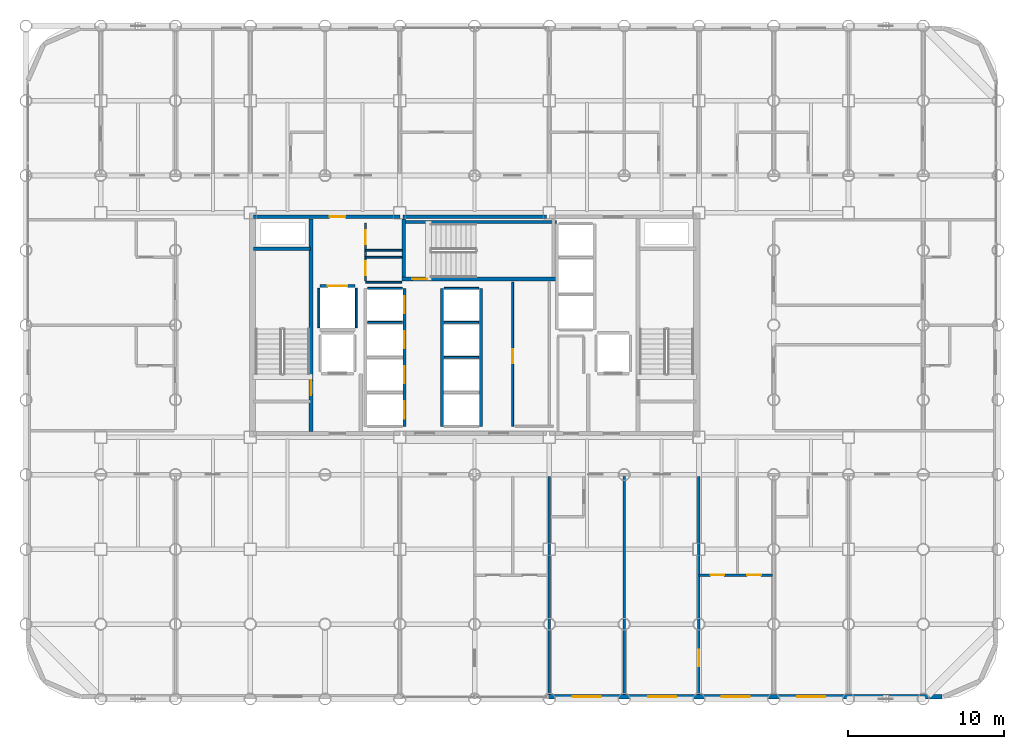
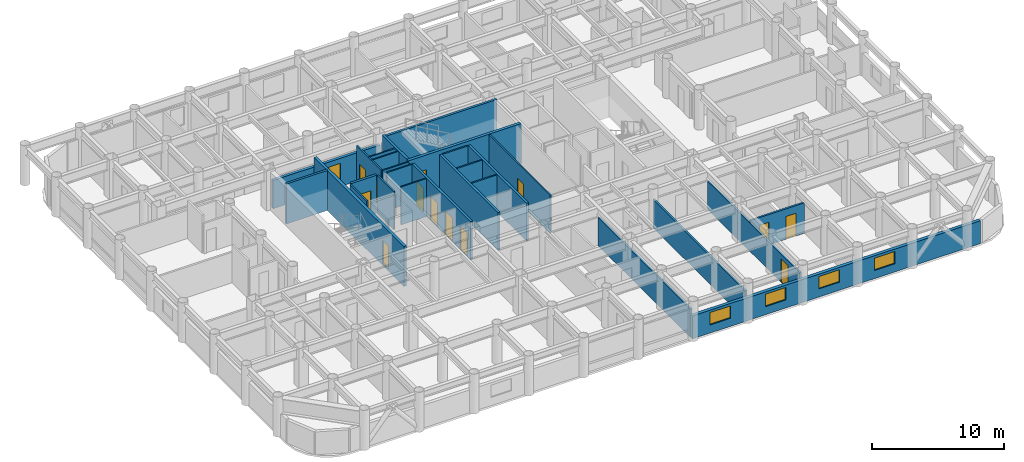
# One storey, part 16 of 20: 28 walls, 14 doors, 4 windows, 18 openings.
"""IFC4 building model written with IfcOpenShell, lengths in metres."""

import ifcopenshell
import ifcopenshell.guid

model = None  # the IFC model being written
_history = None  # IfcOwnerHistory: only IFC2X3 demands one
_inside = {}  # id of a spatial element -> (the spatial element, [elements in it])
_under = {}  # id of a project, library or spatial element -> (it, [spatial elements below it])
_declared = {}  # id of a project -> (the project, [libraries it declares])
_typed = {}  # id of a type object -> (the type object, [elements of that type])
_made_of = {}  # id of a material, layer set ... -> (it, [elements and type objects made of it])


def new_model(schema):
    """Start an empty IFC model of exactly this schema.

    Asked for "IFC4X3", IfcOpenShell would pick the latest addendum, in which some entities
    have other attributes; the version numbers below select the first issue.
    IFC2X3 requires an IfcOwnerHistory on every rooted entity: one is made here for all.
    """
    global model, _history
    if schema == "IFC4X3":
        model = ifcopenshell.file(schema_version=(4, 3, 0, 0))
    else:
        model = ifcopenshell.file(schema=schema)
    _inside.clear()
    _under.clear()
    _declared.clear()
    _typed.clear()
    _made_of.clear()
    _history = None
    if model.schema == "IFC2X3":
        org = make("IfcOrganization", Name="unknown")
        user = make(
            "IfcPersonAndOrganization",
            ThePerson=make("IfcPerson", FamilyName="unknown"),
            TheOrganization=org,
        )
        app = make(
            "IfcApplication",
            ApplicationDeveloper=org,
            Version="unknown",
            ApplicationFullName="unknown",
            ApplicationIdentifier="unknown",
        )
        _history = make(
            "IfcOwnerHistory",
            OwningUser=user,
            OwningApplication=app,
            ChangeAction="ADDED",
            CreationDate=0,
        )
    return model


def make(cls, **values):
    """One entity of the class cls with the attributes given. An attribute that is None is left unset."""
    return model.create_entity(
        cls, **{name: value for name, value in values.items() if value is not None}
    )


def rooted(cls, **values):
    """An entity with a GlobalId (a new one), such as an element, a storey or a relation."""
    return make(cls, GlobalId=ifcopenshell.guid.new(), OwnerHistory=_history, **values)


def si_unit(unit_type, name, prefix=None):
    """IfcSIUnit, for example si_unit("LENGTHUNIT", "METRE", prefix="MILLI")."""
    return make("IfcSIUnit", UnitType=unit_type, Prefix=prefix, Name=name)


def assignment(units):
    """IfcUnitAssignment: the units of a project."""
    return None if units is None else make("IfcUnitAssignment", Units=units)


def point(xyz):
    """IfcCartesianPoint."""
    return None if xyz is None else make("IfcCartesianPoint", Coordinates=xyz)


def direction(xyz):
    """IfcDirection."""
    return None if xyz is None else make("IfcDirection", DirectionRatios=xyz)


def frame(location, z_axis=None, x_axis=None):
    """IfcAxis2Placement3D, a coordinate frame: its origin and axes. An axis left out is left unset."""
    return make(
        "IfcAxis2Placement3D",
        Location=point(location),
        Axis=direction(z_axis),
        RefDirection=direction(x_axis),
    )


def frame_2d(location, x_axis=None):
    """IfcAxis2Placement2D, a coordinate frame in the plane: its origin and x axis."""
    return make(
        "IfcAxis2Placement2D", Location=point(location), RefDirection=direction(x_axis)
    )


def origin():
    """The frame at (0, 0, 0) with its axes left unset."""
    return frame((0.0, 0.0, 0.0))


def place(relative_to, where):
    """IfcLocalPlacement: puts the frame where relative to a parent placement (None: the world)."""
    return make(
        "IfcLocalPlacement", PlacementRelTo=relative_to, RelativePlacement=where
    )


def context(
    kind, dimensions, precision=None, world=None, true_north=None, identifier=None
):
    """IfcGeometricRepresentationContext, for example the 3D "Model" context."""
    return make(
        "IfcGeometricRepresentationContext",
        ContextIdentifier=identifier,
        ContextType=kind,
        CoordinateSpaceDimension=dimensions,
        Precision=precision,
        WorldCoordinateSystem=world,
        TrueNorth=true_north,
    )


def subcontext(parent, identifier, kind, view, scale=None):
    """IfcGeometricRepresentationSubContext, for example "Body" below "Model"."""
    return make(
        "IfcGeometricRepresentationSubContext",
        ContextIdentifier=identifier,
        ContextType=kind,
        ParentContext=parent,
        TargetScale=scale,
        TargetView=view,
    )


def project(units=None, contexts=None):
    """IfcProject with its units and contexts."""
    return rooted(
        "IfcProject",
        Name="project",
        RepresentationContexts=contexts,
        UnitsInContext=assignment(units),
    )


def spatial(cls, under=None, at=None, **own):
    """A site, building, storey or space (cls), placed at a placement, below another one or the project."""
    s = rooted(cls, ObjectPlacement=at, **own)
    if under is not None:
        _under.setdefault(under.id(), (under, []))[1].append(s)
    return s


def profile(cls, at=None, kind="AREA", **sizes):
    """A parametric profile (cls). Its sizes go by their IFC names, for example OverallWidth=200.0."""
    return make(cls, ProfileType=kind, Position=at, **sizes)


def rectangle(**sizes):
    """IfcRectangleProfileDef."""
    return profile("IfcRectangleProfileDef", **sizes)


def extrude(swept, where, along, depth):
    """IfcExtrudedAreaSolid: the profile swept, set in the frame where, extruded along a direction by depth."""
    return make(
        "IfcExtrudedAreaSolid",
        SweptArea=swept,
        Position=where,
        ExtrudedDirection=direction(along),
        Depth=depth,
    )


def shape(context_of_items, identifier, shape_type, items):
    """IfcShapeRepresentation: the items that make up one representation, for example the "Body"."""
    return make(
        "IfcShapeRepresentation",
        ContextOfItems=context_of_items,
        RepresentationIdentifier=identifier,
        RepresentationType=shape_type,
        Items=items,
    )


def material(Name=None, Category=None):
    """IfcMaterial."""
    return make("IfcMaterial", Name=Name, Category=Category)


def layer(
    of_material, thickness, ventilated=None, Name=None, Category=None, Priority=None
):
    """IfcMaterialLayer: one layer of a wall or slab, of a material (None: an air gap)."""
    return make(
        "IfcMaterialLayer",
        Material=of_material,
        LayerThickness=thickness,
        IsVentilated=ventilated,
        Name=Name,
        Category=Category,
        Priority=Priority,
    )


def layer_set(layers, Name=None):
    """IfcMaterialLayerSet."""
    return make("IfcMaterialLayerSet", MaterialLayers=layers, LayerSetName=Name)


def made_of(thing, what):
    """Note that an element or type object is made of a material, layer set ...; save() writes the relation."""
    if what is not None:
        _made_of.setdefault(what.id(), (what, []))[1].append(thing)
    return thing


def type_object(cls, material=None, **own):
    """A type object (cls), such as IfcWallType, which elements share."""
    return made_of(rooted(cls, **own), material)


def element(
    cls,
    number,
    at=None,
    inside=None,
    cuts=None,
    type_object=None,
    material=None,
    context=None,
    identifier="Body",
    shape_type=None,
    held_by="IfcProductDefinitionShape",
    body=None,
    shapes=None,
    **own,
):
    """One element of the class cls, such as IfcWall. Its Tag is "e" and its number.

    at: its placement. inside: the storey or other place that contains it. cuts: it is an
    opening in that element (IfcRelVoidsElement). A single representation is given by context,
    identifier, shape_type and body (its items); several are given by shapes. held_by: the class
    of the entity that holds the representations. save() writes the other relations.
    """
    e = rooted(cls, Tag="e%d" % number, ObjectPlacement=at, **own)
    if body is not None:
        shapes = [shape(context, identifier, shape_type, body)]
    if shapes is not None:
        e.Representation = make(held_by, Representations=shapes)
    if inside is not None:
        _inside.setdefault(inside.id(), (inside, []))[1].append(e)
    if cuts is not None:
        rooted(
            "IfcRelVoidsElement", RelatingBuildingElement=cuts, RelatedOpeningElement=e
        )
    if type_object is not None:
        _typed.setdefault(type_object.id(), (type_object, []))[1].append(e)
    return made_of(e, material)


def fill(opening, filler):
    """IfcRelFillsElement: the door or window that sits in an opening."""
    return rooted(
        "IfcRelFillsElement",
        RelatingOpeningElement=opening,
        RelatedBuildingElement=filler,
    )


def aggregate(whole, parts):
    """IfcRelAggregates: a whole, such as a stair, and the parts it consists of."""
    return rooted("IfcRelAggregates", RelatingObject=whole, RelatedObjects=parts)


def save(model, path):
    """Write the relations noted so far, then the file.

    IfcRelAggregates (storeys below a building ...), IfcRelContainedInSpatialStructure (elements
    in a storey), IfcRelDefinesByType, IfcRelAssociatesMaterial and IfcRelDeclares: one each for
    every whole, place, type object, material and project.
    """
    for whole, parts in _under.values():
        aggregate(whole, parts)
    for where, things in _inside.values():
        rooted(
            "IfcRelContainedInSpatialStructure",
            RelatedElements=things,
            RelatingStructure=where,
        )
    for kind, things in _typed.values():
        rooted("IfcRelDefinesByType", RelatedObjects=things, RelatingType=kind)
    for what, things in _made_of.values():
        rooted("IfcRelAssociatesMaterial", RelatedObjects=things, RelatingMaterial=what)
    for by, libraries in _declared.values():
        rooted("IfcRelDeclares", RelatingContext=by, RelatedDefinitions=libraries)
    model.write(path)


model = new_model("IFC4")

# Units and contexts
model_context = context("Model", 3, precision=1e-05, world=origin(), true_north=direction((0.0, 1.0)))
body_context = subcontext(model_context, "Body", "Model", "MODEL_VIEW")
ifc_project = project(units=[si_unit("LENGTHUNIT", "METRE"), si_unit("AREAUNIT", "SQUARE_METRE"), si_unit("VOLUMEUNIT", "CUBIC_METRE"), si_unit("PLANEANGLEUNIT", "RADIAN"), si_unit("MASSUNIT", "GRAM", prefix="KILO")], contexts=[model_context])

# Site, building, storey
site_placement = place(None, origin())
site = spatial("IfcSite", under=ifc_project, at=site_placement, CompositionType="ELEMENT")
building_placement = place(site_placement, origin())
building = spatial("IfcBuilding", under=site, at=building_placement, Name="Kallvorn Hotel Tower", CompositionType="ELEMENT")
storey_placement = place(building_placement, frame((0.0, 0.0, 78.10009765625)))
storey = spatial("IfcBuildingStorey", under=building, at=storey_placement, Name="L18", CompositionType="ELEMENT", Elevation=78.10009765625)

# Wall, openings, doors
ifc_material_1 = material(Name="Fire-rated double-layer acoustic gypsum drywall EI 60")
ifc_layer_1 = layer(ifc_material_1, 0.159912109375)
ifc_layer_set_1 = layer_set([ifc_layer_1], Name="WL_DEMISE_160")
wall_type_1 = type_object("IfcWallType", Name="WL_DEMISE_160", PredefinedType="PARTITIONING", material=ifc_layer_set_1)
wall_1_placement = place(storey_placement, frame((14.39990234375, -16.050048828125, 0.0), z_axis=(0.0, 0.0, 1.0), x_axis=(1.0, 0.0, 0.0)))
wall_1 = element("IfcWall", 1, at=wall_1_placement, inside=storey, type_object=wall_type_1, Name="L18 Suite 1807 Executive Bedroom Partition", PredefinedType="PARTITIONING", context=body_context, shape_type="SweptSolid", body=[
    extrude(rectangle(XDim=4.72021484375, YDim=0.159912109375, at=frame_2d((2.360107421875, 0.0))), origin(), (0.0, 0.0, 1.0), 2.81982421875),
])
opening_1_placement = place(wall_1_placement, frame((0.75, 0.0, 0.0)))
opening_1 = element("IfcOpeningElement", 2, at=opening_1_placement, cuts=wall_1, Name="Opening BD-I", PredefinedType="OPENING", context=body_context, shape_type="SweptSolid", body=[
    extrude(rectangle(XDim=0.860107421875, YDim=2.10009765625, at=frame_2d((0.43017578125, 1.050048828125))), frame((0.0, 0.094970703125, 0.0), z_axis=(0.0, -1.0, 0.0), x_axis=(1.0, 0.0, 0.0)), (0.0, 0.0, 1.0), 0.18994140625),
])
opening_2_placement = place(wall_1_placement, frame((3.090087890625, 0.0, 0.0)))
opening_2 = element("IfcOpeningElement", 3, at=opening_2_placement, cuts=wall_1, Name="Opening SVD1", PredefinedType="OPENING", context=body_context, shape_type="SweptSolid", body=[
    extrude(rectangle(XDim=0.89990234375, YDim=2.10009765625, at=frame_2d((0.449951171875, 1.050048828125))), frame((0.0, 0.094970703125, 0.0), z_axis=(0.0, -1.0, 0.0), x_axis=(1.0, 0.0, 0.0)), (0.0, 0.0, 1.0), 0.18994140625),
])
ifc_material_2 = material(Name="Solid-core walnut veneer fire-rated timber door leaf", Category="wood")
door_type_1 = type_object("IfcDoorType", Name="DR_BATH_860x2100", OperationType="NOTDEFINED", PredefinedType="DOOR", material=ifc_material_2)
door_1_placement = place(opening_1_placement, origin())
door_1 = element("IfcDoor", 4, at=door_1_placement, inside=storey, type_object=door_type_1, Name="L18 Suite 1807 En-Suite Bathroom Door", OperationType="SINGLE_SWING_LEFT", OverallHeight=2.10009765625, OverallWidth=0.860107421875, PredefinedType="DOOR", context=body_context, shape_type="SweptSolid", body=[
    extrude(rectangle(XDim=0.860107421875, YDim=2.10009765625, at=frame_2d((0.43017578125, 1.050048828125))), frame((0.0, 0.02490234375, 0.0), z_axis=(0.0, -1.0, 0.0), x_axis=(1.0, 0.0, 0.0)), (0.0, 0.0, 1.0), 0.050048828125),
])
fill(opening_1, door_1)
ifc_material_3 = material(Name="Galvanised painted steel fire-rated door assembly", Category="steel")
door_type_2 = type_object("IfcDoorType", Name="DR_SERV_900x2100", OperationType="NOTDEFINED", PredefinedType="DOOR", material=ifc_material_3)
door_2_placement = place(opening_2_placement, origin())
door_2 = element("IfcDoor", 5, at=door_2_placement, inside=storey, type_object=door_type_2, Name="L18 Suite 1807 Walk-In Dressing Closet Door", OperationType="SINGLE_SWING_RIGHT", OverallHeight=2.10009765625, OverallWidth=0.89990234375, PredefinedType="DOOR", context=body_context, shape_type="SweptSolid", body=[
    extrude(rectangle(XDim=0.89990234375, YDim=2.10009765625, at=frame_2d((0.449951171875, 1.050048828125))), frame((0.0, 0.02490234375, 0.0), z_axis=(0.0, -1.0, 0.0), x_axis=(1.0, 0.0, 0.0)), (0.0, 0.0, 1.0), 0.050048828125),
])
fill(opening_2, door_2)

# Walls
for number, where, z_axis, x_axis, name in (
    (6, (4.800048828125, -23.7099609375, 0.0), (0.0, 0.0, 1.0), (0.0, 1.0, 0.0), "L18 Suite 1805 Executive Bedroom Partition"),
    (7, (9.60009765625, -23.7099609375, 0.0), (0.0, 0.0, 1.0), (0.0, 1.0, 0.0), "L18 Suite 1806 Deluxe King Room Partition"),
):
    element("IfcWall", number, at=place(storey_placement, frame(where, z_axis=z_axis, x_axis=x_axis)), inside=storey, type_object=wall_type_1, Name=name, PredefinedType="PARTITIONING", context=body_context, shape_type="SweptSolid", body=[
        extrude(rectangle(XDim=13.989990234375, YDim=0.159912109375, at=frame_2d((6.9951171875, 0.0))), origin(), (0.0, 0.0, 1.0), 2.619873046875),
    ])

# Wall, opening, door
wall_2_placement = place(storey_placement, frame((14.39990234375, -23.7099609375, 0.0), z_axis=(0.0, 0.0, 1.0), x_axis=(0.0, 1.0, 0.0)))
wall_2 = element("IfcWall", 8, at=wall_2_placement, inside=storey, type_object=wall_type_1, Name="L18 Suite 1807 Executive Bedroom Partition", PredefinedType="PARTITIONING", context=body_context, shape_type="SweptSolid", body=[
    extrude(rectangle(XDim=13.989990234375, YDim=0.159912109375, at=frame_2d((6.9951171875, 0.0))), origin(), (0.0, 0.0, 1.0), 2.619873046875),
])
opening_3_placement = place(wall_2_placement, frame((1.802978515625, 0.0, 0.0)))
opening_3 = element("IfcOpeningElement", 9, at=opening_3_placement, cuts=wall_2, Name="Opening GD2", PredefinedType="OPENING", context=body_context, shape_type="SweptSolid", body=[
    extrude(rectangle(XDim=1.050048828125, YDim=2.199951171875, at=frame_2d((0.52490234375, 1.10009765625))), frame((0.0, 0.094970703125, 0.0), z_axis=(0.0, -1.0, 0.0), x_axis=(1.0, 0.0, 0.0)), (0.0, 0.0, 1.0), 0.18994140625),
])
ifc_material_4 = material(Name="Solid-core walnut veneer fire-rated timber door leaf", Category="wood")
door_type_3 = type_object("IfcDoorType", Name="DR_SUITE_1050x2200", OperationType="NOTDEFINED", PredefinedType="DOOR", material=ifc_material_4)
door_3_placement = place(opening_3_placement, origin())
door_3 = element("IfcDoor", 10, at=door_3_placement, inside=storey, type_object=door_type_3, Name="L18 Suite 1807 Executive Bedroom Door", OperationType="SINGLE_SWING_RIGHT", OverallHeight=2.199951171875, OverallWidth=1.050048828125, PredefinedType="DOOR", context=body_context, shape_type="SweptSolid", body=[
    extrude(rectangle(XDim=1.050048828125, YDim=2.199951171875, at=frame_2d((0.52490234375, 1.10009765625))), frame((0.0, 0.02490234375, 0.0), z_axis=(0.0, -1.0, 0.0), x_axis=(1.0, 0.0, 0.0)), (0.0, 0.0, 1.0), 0.050048828125),
])
fill(opening_3, door_3)

# Wall, openings, windows
ifc_material_5 = material(Name="Precast basalt-clad insulated concrete wall C40/50", Category="masonry")
ifc_layer_2 = layer(ifc_material_5, 0.280029296875)
ifc_layer_set_2 = layer_set([ifc_layer_2], Name="WL_EXT_LOGGIA_280")
wall_type_2 = type_object("IfcWallType", Name="WL_EXT_LOGGIA_280", PredefinedType="SOLIDWALL", material=ifc_layer_set_2)
wall_3_placement = place(storey_placement, frame((4.75, -23.860107421875, 0.0), z_axis=(0.0, 0.0, 1.0), x_axis=(1.0, 0.0, 0.0)))
wall_3 = element("IfcWall", 11, at=wall_3_placement, inside=storey, type_object=wall_type_2, Name="L18 Exterior Envelope Wall EW-L18-SE", PredefinedType="SOLIDWALL", context=body_context, shape_type="SweptSolid", body=[
    extrude(rectangle(XDim=25.25, YDim=0.280029296875, at=frame_2d((12.625, 0.0))), origin(), (0.0, 0.0, 1.0), 2.119873046875),
])
opening_4_placement = place(wall_3_placement, frame((1.550048828125, 0.0, 0.75)))
opening_4 = element("IfcOpeningElement", 12, at=opening_4_placement, cuts=wall_3, Name="Opening W04A", PredefinedType="OPENING", context=body_context, shape_type="SweptSolid", body=[
    extrude(rectangle(XDim=1.800048828125, YDim=1.14990234375, at=frame_2d((0.89990234375, 0.574951171875))), frame((0.0, 0.155029296875, 0.0), z_axis=(0.0, -1.0, 0.0), x_axis=(1.0, 0.0, 0.0)), (0.0, 0.0, 1.0), 0.31005859375),
])
opening_5_placement = place(wall_3_placement, frame((6.389892578125, 0.0, 0.75)))
opening_5 = element("IfcOpeningElement", 13, at=opening_5_placement, cuts=wall_3, Name="Opening W04A", PredefinedType="OPENING", context=body_context, shape_type="SweptSolid", body=[
    extrude(rectangle(XDim=1.800048828125, YDim=1.14990234375, at=frame_2d((0.89990234375, 0.574951171875))), frame((0.0, 0.155029296875, 0.0), z_axis=(0.0, -1.0, 0.0), x_axis=(1.0, 0.0, 0.0)), (0.0, 0.0, 1.0), 0.31005859375),
])
opening_6_placement = place(wall_3_placement, frame((11.110107421875, 0.0, 0.75)))
opening_6 = element("IfcOpeningElement", 14, at=opening_6_placement, cuts=wall_3, Name="Opening W04A", PredefinedType="OPENING", context=body_context, shape_type="SweptSolid", body=[
    extrude(rectangle(XDim=1.800048828125, YDim=1.14990234375, at=frame_2d((0.89990234375, 0.574951171875))), frame((0.0, 0.155029296875, 0.0), z_axis=(0.0, -1.0, 0.0), x_axis=(1.0, 0.0, 0.0)), (0.0, 0.0, 1.0), 0.31005859375),
])
opening_7_placement = place(wall_3_placement, frame((15.949951171875, 0.0, 0.75)))
opening_7 = element("IfcOpeningElement", 15, at=opening_7_placement, cuts=wall_3, Name="Opening W04A", PredefinedType="OPENING", context=body_context, shape_type="SweptSolid", body=[
    extrude(rectangle(XDim=1.800048828125, YDim=1.14990234375, at=frame_2d((0.89990234375, 0.574951171875))), frame((0.0, 0.155029296875, 0.0), z_axis=(0.0, -1.0, 0.0), x_axis=(1.0, 0.0, 0.0)), (0.0, 0.0, 1.0), 0.31005859375),
])
ifc_material_6 = material(Name="Double-glazed low-e solar-control dark glass", Category="glass")
window_type = type_object("IfcWindowType", Name="WN_HTL_1800x1150", PartitioningType="SINGLE_PANEL", PredefinedType="WINDOW", material=ifc_material_6)
window_1_placement = place(opening_4_placement, origin())
window_1 = element("IfcWindow", 16, at=window_1_placement, inside=storey, type_object=window_type, Name="L18 Guestroom Exterior Window 04", OverallHeight=1.14990234375, OverallWidth=1.800048828125, PartitioningType="SINGLE_PANEL", PredefinedType="WINDOW", context=body_context, shape_type="SweptSolid", body=[
    extrude(rectangle(XDim=1.800048828125, YDim=1.14990234375, at=frame_2d((0.89990234375, 0.574951171875))), frame((0.0, 0.030029296875, 0.0), z_axis=(0.0, -1.0, 0.0), x_axis=(1.0, 0.0, 0.0)), (0.0, 0.0, 1.0), 0.06005859375),
])
fill(opening_4, window_1)
window_2_placement = place(opening_5_placement, origin())
window_2 = element("IfcWindow", 17, at=window_2_placement, inside=storey, type_object=window_type, Name="L18 Guestroom Exterior Window 05", OverallHeight=1.14990234375, OverallWidth=1.800048828125, PartitioningType="SINGLE_PANEL", PredefinedType="WINDOW", context=body_context, shape_type="SweptSolid", body=[
    extrude(rectangle(XDim=1.800048828125, YDim=1.14990234375, at=frame_2d((0.89990234375, 0.574951171875))), frame((0.0, 0.030029296875, 0.0), z_axis=(0.0, -1.0, 0.0), x_axis=(1.0, 0.0, 0.0)), (0.0, 0.0, 1.0), 0.06005859375),
])
fill(opening_5, window_2)
window_3_placement = place(opening_6_placement, origin())
window_3 = element("IfcWindow", 18, at=window_3_placement, inside=storey, type_object=window_type, Name="L18 Guestroom Exterior Window 06", OverallHeight=1.14990234375, OverallWidth=1.800048828125, PartitioningType="SINGLE_PANEL", PredefinedType="WINDOW", context=body_context, shape_type="SweptSolid", body=[
    extrude(rectangle(XDim=1.800048828125, YDim=1.14990234375, at=frame_2d((0.89990234375, 0.574951171875))), frame((0.0, 0.030029296875, 0.0), z_axis=(0.0, -1.0, 0.0), x_axis=(1.0, 0.0, 0.0)), (0.0, 0.0, 1.0), 0.06005859375),
])
fill(opening_6, window_3)
window_4_placement = place(opening_7_placement, origin())
window_4 = element("IfcWindow", 19, at=window_4_placement, inside=storey, type_object=window_type, Name="L18 Guestroom Exterior Window 07", OverallHeight=1.14990234375, OverallWidth=1.800048828125, PartitioningType="SINGLE_PANEL", PredefinedType="WINDOW", context=body_context, shape_type="SweptSolid", body=[
    extrude(rectangle(XDim=1.800048828125, YDim=1.14990234375, at=frame_2d((0.89990234375, 0.574951171875))), frame((0.0, 0.030029296875, 0.0), z_axis=(0.0, -1.0, 0.0), x_axis=(1.0, 0.0, 0.0)), (0.0, 0.0, 1.0), 0.06005859375),
])
fill(opening_7, window_4)

# Walls
ifc_material_7 = material(Name="Concrete C40/50", Category="concrete")
ifc_layer_3 = layer(ifc_material_7, 0.199951171875)
ifc_layer_set_3 = layer_set([ifc_layer_3], Name="WL_HOIST_200")
wall_type_3 = type_object("IfcWallType", Name="WL_HOIST_200", PredefinedType="SOLIDWALL", material=ifc_layer_set_3)
wall_4_placement = place(storey_placement, frame((-14.199951171875, 4.89990234375, -0.18017578125), z_axis=(0.0, 0.0, 1.0), x_axis=(1.0, 0.0, 0.0)))
element("IfcWall", 20, at=wall_4_placement, inside=storey, type_object=wall_type_3, Name="L18 Stair ST1 North Wall", PredefinedType="SOLIDWALL", context=body_context, shape_type="SweptSolid", body=[
    extrude(rectangle(XDim=3.64990234375, YDim=0.199951171875, at=frame_2d((1.824951171875, 0.0))), origin(), (0.0, 0.0, 1.0), 3.7001953125),
])
wall_5_placement = place(storey_placement, frame((-4.64990234375, 6.610107421875, -0.18017578125), z_axis=(0.0, 0.0, 1.0), x_axis=(1.0, 0.0, 0.0)))
element("IfcWall", 21, at=wall_5_placement, inside=storey, type_object=wall_type_3, Name="L18 Stair ST3 Shaft North Wall", PredefinedType="SOLIDWALL", context=body_context, shape_type="SweptSolid", body=[
    extrude(rectangle(XDim=9.89990234375, YDim=0.199951171875, at=frame_2d((4.949951171875, 0.0))), origin(), (0.0, 0.0, 1.0), 3.7001953125),
])
wall_6_placement = place(storey_placement, frame((-4.550048828125, 3.080078125, -0.18017578125), z_axis=(0.0, 0.0, 1.0), x_axis=(0.0, 1.0, 0.0)))
element("IfcWall", 22, at=wall_6_placement, inside=storey, type_object=wall_type_3, Name="L18 Stair ST3 West Wall", PredefinedType="SOLIDWALL", context=body_context, shape_type="SweptSolid", body=[
    extrude(rectangle(XDim=3.739990234375, YDim=0.199951171875, at=frame_2d((1.8701171875, 0.0))), origin(), (0.0, 0.0, 1.0), 3.7001953125),
])

# Wall, openings, doors
wall_7_placement = place(storey_placement, frame((-4.5, -6.5, 0.0), z_axis=(0.0, 0.0, 1.0), x_axis=(0.0, 1.0, 0.0)))
wall_7 = element("IfcWall", 23, at=wall_7_placement, inside=storey, type_object=wall_type_3, Name="L18 Lift Bank B1 Landing Wall", PredefinedType="SOLIDWALL", context=body_context, shape_type="SweptSolid", body=[
    extrude(rectangle(XDim=8.85009765625, YDim=0.199951171875, at=frame_2d((4.425048828125, 0.0))), origin(), (0.0, 0.0, 1.0), 3.52001953125),
])
opening_8_placement = place(wall_7_placement, frame((0.5, 0.0, 0.0)))
opening_8 = element("IfcOpeningElement", 24, at=opening_8_placement, cuts=wall_7, Name="Opening LD-PL-01", PredefinedType="OPENING", context=body_context, shape_type="SweptSolid", body=[
    extrude(rectangle(XDim=1.10009765625, YDim=2.199951171875, at=frame_2d((0.550048828125, 1.10009765625))), frame((0.0, 0.114990234375, 0.0), z_axis=(0.0, -1.0, 0.0), x_axis=(1.0, 0.0, 0.0)), (0.0, 0.0, 1.0), 0.22998046875),
])
opening_9_placement = place(wall_7_placement, frame((2.75, 0.0, 0.0)))
opening_9 = element("IfcOpeningElement", 25, at=opening_9_placement, cuts=wall_7, Name="Opening LD-PL-02", PredefinedType="OPENING", context=body_context, shape_type="SweptSolid", body=[
    extrude(rectangle(XDim=1.10009765625, YDim=2.199951171875, at=frame_2d((0.550048828125, 1.10009765625))), frame((0.0, 0.114990234375, 0.0), z_axis=(0.0, -1.0, 0.0), x_axis=(1.0, 0.0, 0.0)), (0.0, 0.0, 1.0), 0.22998046875),
])
opening_10_placement = place(wall_7_placement, frame((5.0, 0.0, 0.0)))
opening_10 = element("IfcOpeningElement", 26, at=opening_10_placement, cuts=wall_7, Name="Opening LD-PL-03", PredefinedType="OPENING", context=body_context, shape_type="SweptSolid", body=[
    extrude(rectangle(XDim=1.10009765625, YDim=2.199951171875, at=frame_2d((0.550048828125, 1.10009765625))), frame((0.0, 0.114990234375, 0.0), z_axis=(0.0, -1.0, 0.0), x_axis=(1.0, 0.0, 0.0)), (0.0, 0.0, 1.0), 0.22998046875),
])
opening_11_placement = place(wall_7_placement, frame((7.25, 0.0, 0.0)))
opening_11 = element("IfcOpeningElement", 27, at=opening_11_placement, cuts=wall_7, Name="Opening LD-PL-04", PredefinedType="OPENING", context=body_context, shape_type="SweptSolid", body=[
    extrude(rectangle(XDim=1.10009765625, YDim=2.199951171875, at=frame_2d((0.550048828125, 1.10009765625))), frame((0.0, 0.114990234375, 0.0), z_axis=(0.0, -1.0, 0.0), x_axis=(1.0, 0.0, 0.0)), (0.0, 0.0, 1.0), 0.22998046875),
])
ifc_material_8 = material(Name="Brushed stainless-steel automatic sliding lift landing door", Category="steel")
door_type_4 = type_object("IfcDoorType", Name="LD_PASS_1100x2200", OperationType="SLIDING_TO_LEFT", PredefinedType="DOOR", material=ifc_material_8)
door_4_placement = place(opening_8_placement, origin())
door_4 = element("IfcDoor", 28, at=door_4_placement, inside=storey, type_object=door_type_4, Name="L18 Lift Landing Sliding Door LD-PL-01", OperationType="SLIDING_TO_LEFT", OverallHeight=2.199951171875, OverallWidth=1.10009765625, PredefinedType="DOOR", context=body_context, shape_type="SweptSolid", body=[
    extrude(rectangle(XDim=1.10009765625, YDim=2.199951171875, at=frame_2d((0.550048828125, 1.10009765625))), frame((0.0, 0.02490234375, 0.0), z_axis=(0.0, -1.0, 0.0), x_axis=(1.0, 0.0, 0.0)), (0.0, 0.0, 1.0), 0.050048828125),
])
fill(opening_8, door_4)
door_5_placement = place(opening_9_placement, origin())
door_5 = element("IfcDoor", 29, at=door_5_placement, inside=storey, type_object=door_type_4, Name="L18 Lift Landing Sliding Door LD-PL-02", OperationType="SLIDING_TO_LEFT", OverallHeight=2.199951171875, OverallWidth=1.10009765625, PredefinedType="DOOR", context=body_context, shape_type="SweptSolid", body=[
    extrude(rectangle(XDim=1.10009765625, YDim=2.199951171875, at=frame_2d((0.550048828125, 1.10009765625))), frame((0.0, 0.02490234375, 0.0), z_axis=(0.0, -1.0, 0.0), x_axis=(1.0, 0.0, 0.0)), (0.0, 0.0, 1.0), 0.050048828125),
])
fill(opening_9, door_5)
door_6_placement = place(opening_10_placement, origin())
door_6 = element("IfcDoor", 30, at=door_6_placement, inside=storey, type_object=door_type_4, Name="L18 Lift Landing Sliding Door LD-PL-03", OperationType="SLIDING_TO_LEFT", OverallHeight=2.199951171875, OverallWidth=1.10009765625, PredefinedType="DOOR", context=body_context, shape_type="SweptSolid", body=[
    extrude(rectangle(XDim=1.10009765625, YDim=2.199951171875, at=frame_2d((0.550048828125, 1.10009765625))), frame((0.0, 0.02490234375, 0.0), z_axis=(0.0, -1.0, 0.0), x_axis=(1.0, 0.0, 0.0)), (0.0, 0.0, 1.0), 0.050048828125),
])
fill(opening_10, door_6)
door_7_placement = place(opening_11_placement, origin())
door_7 = element("IfcDoor", 31, at=door_7_placement, inside=storey, type_object=door_type_4, Name="L18 Lift Landing Sliding Door LD-PL-04", OperationType="SLIDING_TO_LEFT", OverallHeight=2.199951171875, OverallWidth=1.10009765625, PredefinedType="DOOR", context=body_context, shape_type="SweptSolid", body=[
    extrude(rectangle(XDim=1.10009765625, YDim=2.199951171875, at=frame_2d((0.550048828125, 1.10009765625))), frame((0.0, 0.02490234375, 0.0), z_axis=(0.0, -1.0, 0.0), x_axis=(1.0, 0.0, 0.0)), (0.0, 0.0, 1.0), 0.050048828125),
])
fill(opening_11, door_7)

# Walls
for number, where, z_axis, x_axis, name in (
    (32, (-2.10009765625, -6.5, 0.0), (0.0, 0.0, 1.0), (0.0, 1.0, 0.0), "L18 Lift Bank B2 Landing Wall"),
    (33, (0.39990234375, -6.5, 0.0), (0.0, 0.0, 1.0), (0.0, 1.0, 0.0), "L18 Lift Bank B2 Rear Shaft Wall"),
):
    element("IfcWall", number, at=place(storey_placement, frame(where, z_axis=z_axis, x_axis=x_axis)), inside=storey, type_object=wall_type_3, Name=name, PredefinedType="SOLIDWALL", context=body_context, shape_type="SweptSolid", body=[
        extrude(rectangle(XDim=8.85009765625, YDim=0.199951171875, at=frame_2d((4.425048828125, 0.0))), origin(), (0.0, 0.0, 1.0), 3.52001953125),
    ])

# Wall, opening, door
wall_8_placement = place(storey_placement, frame((-9.919921875, 2.5, 0.0), z_axis=(0.0, 0.0, 1.0), x_axis=(1.0, 0.0, 0.0)))
wall_8 = element("IfcWall", 34, at=wall_8_placement, inside=storey, type_object=wall_type_3, Name="L18 SV-01 Landing Wall", PredefinedType="SOLIDWALL", context=body_context, shape_type="SweptSolid", body=[
    extrude(rectangle(XDim=2.239990234375, YDim=0.199951171875, at=frame_2d((1.1201171875, 0.0))), origin(), (0.0, 0.0, 1.0), 3.52001953125),
])
opening_12_placement = place(wall_8_placement, frame((0.4951171875, 0.0, 0.0)))
opening_12 = element("IfcOpeningElement", 35, at=opening_12_placement, cuts=wall_8, Name="Opening LD-SV-01", PredefinedType="OPENING", context=body_context, shape_type="SweptSolid", body=[
    extrude(rectangle(XDim=1.25, YDim=2.25, at=frame_2d((0.625, 1.125))), frame((0.0, 0.114990234375, 0.0), z_axis=(0.0, -1.0, 0.0), x_axis=(1.0, 0.0, 0.0)), (0.0, 0.0, 1.0), 0.22998046875),
])
ifc_material_9 = material(Name="Brushed stainless-steel automatic sliding lift landing door", Category="steel")
door_type_5 = type_object("IfcDoorType", Name="LD_SERV_1250x2250", OperationType="SLIDING_TO_LEFT", PredefinedType="DOOR", material=ifc_material_9)
door_8_placement = place(opening_12_placement, origin())
door_8 = element("IfcDoor", 36, at=door_8_placement, inside=storey, type_object=door_type_5, Name="L18 Lift Landing Sliding Door LD-SV-01", OperationType="SLIDING_TO_LEFT", OverallHeight=2.25, OverallWidth=1.25, PredefinedType="DOOR", context=body_context, shape_type="SweptSolid", body=[
    extrude(rectangle(XDim=1.25, YDim=2.25, at=frame_2d((0.625, 1.125))), frame((0.0, 0.02490234375, 0.0), z_axis=(0.0, -1.0, 0.0), x_axis=(1.0, 0.0, 0.0)), (0.0, 0.0, 1.0), 0.050048828125),
])
fill(opening_12, door_8)

# Walls
ifc_material_10 = material(Name="Fire-rated double-layer acoustic gypsum drywall EI 60")
ifc_layer_4 = layer(ifc_material_10, 0.1201171875)
ifc_layer_set_4 = layer_set([ifc_layer_4], Name="WL_INT_120")
wall_type_4 = type_object("IfcWallType", Name="WL_INT_120", PredefinedType="PARTITIONING", material=ifc_layer_set_4)
for number, where, z_axis, x_axis, name in (
    (37, (-6.860107421875, 0.175048828125, 0.0), (0.0, 0.0, 1.0), (1.0, 0.0, 0.0), "L18 PL-03 Hoistway Divider"),
    (38, (-6.860107421875, 2.35009765625, 0.0), (0.0, 0.0, 1.0), (1.0, 0.0, 0.0), "L18 PL-04 Hoistway Divider"),
):
    element("IfcWall", number, at=place(storey_placement, frame(where, z_axis=z_axis, x_axis=x_axis)), inside=storey, type_object=wall_type_4, Name=name, PredefinedType="PARTITIONING", context=body_context, shape_type="SweptSolid", body=[
        extrude(rectangle(XDim=2.22021484375, YDim=0.1201171875, at=frame_2d((1.110107421875, 0.0))), origin(), (0.0, 0.0, 1.0), 3.52001953125),
    ])
for number, where, z_axis, x_axis, name in (
    (39, (-1.9599609375, -2.074951171875, 0.0), (0.0, 0.0, 1.0), (1.0, 0.0, 0.0), "L18 PL-06 Hoistway Divider"),
    (40, (-1.9599609375, 0.175048828125, 0.0), (0.0, 0.0, 1.0), (1.0, 0.0, 0.0), "L18 PL-07 Hoistway Divider"),
    (41, (-1.9599609375, 2.35009765625, 0.0), (0.0, 0.0, 1.0), (1.0, 0.0, 0.0), "L18 PL-08 Hoistway Divider"),
):
    element("IfcWall", number, at=place(storey_placement, frame(where, z_axis=z_axis, x_axis=x_axis)), inside=storey, type_object=wall_type_4, Name=name, PredefinedType="PARTITIONING", context=body_context, shape_type="SweptSolid", body=[
        extrude(rectangle(XDim=2.219970703125, YDim=0.1201171875, at=frame_2d((1.10986328125, 0.0))), origin(), (0.0, 0.0, 1.0), 3.52001953125),
    ])
for number, where, z_axis, x_axis, name in (
    (42, (-10.0, -0.159912109375, 0.0), (0.0, 0.0, 1.0), (0.0, 1.0, 0.0), "L18 SV-01 West Shaft Wall"),
    (43, (-7.60009765625, -0.159912109375, 0.0), (0.0, 0.0, 1.0), (0.0, 1.0, 0.0), "L18 SV-01 East Shaft Wall"),
):
    element("IfcWall", number, at=place(storey_placement, frame(where, z_axis=z_axis, x_axis=x_axis)), inside=storey, type_object=wall_type_4, Name=name, PredefinedType="PARTITIONING", context=body_context, shape_type="SweptSolid", body=[
        extrude(rectangle(XDim=2.52001953125, YDim=0.1201171875, at=frame_2d((1.260009765625, 0.0))), origin(), (0.0, 0.0, 1.0), 3.52001953125),
    ])
wall_9_placement = place(storey_placement, frame((-7.0, 2.75, 0.0), z_axis=(0.0, 0.0, 1.0), x_axis=(1.0, 0.0, 0.0)))
element("IfcWall", 44, at=wall_9_placement, inside=storey, type_object=wall_type_4, Name="L18 Core Ice and Vending Pantry Partition", PredefinedType="PARTITIONING", context=body_context, shape_type="SweptSolid", body=[
    extrude(rectangle(XDim=2.31005859375, YDim=0.1201171875, at=frame_2d((1.155029296875, 0.0))), origin(), (0.0, 0.0, 1.0), 3.52001953125),
])
for number, where, z_axis, x_axis, name in (
    (45, (-7.0, 4.35009765625, 0.0), (0.0, 0.0, 1.0), (1.0, 0.0, 0.0), "L18 Core Ice and Vending Pantry Partition"),
    (46, (-7.0, 4.800048828125, 0.0), (0.0, 0.0, 1.0), (1.0, 0.0, 0.0), "L18 Core Linen Supply Closet Partition"),
):
    element("IfcWall", number, at=place(storey_placement, frame(where, z_axis=z_axis, x_axis=x_axis)), inside=storey, type_object=wall_type_4, Name=name, PredefinedType="PARTITIONING", context=body_context, shape_type="SweptSolid", body=[
        extrude(rectangle(XDim=2.35009765625, YDim=0.1201171875, at=frame_2d((1.175048828125, 0.0))), origin(), (0.0, 0.0, 1.0), 3.52001953125),
    ])

# Wall, openings, doors
wall_10_placement = place(storey_placement, frame((-7.0, 2.8349609375, 0.0), z_axis=(0.0, 0.0, 1.0), x_axis=(0.0, 1.0, 0.0)))
wall_10 = element("IfcWall", 47, at=wall_10_placement, inside=storey, type_object=wall_type_4, Name="L18 Core Ice and Vending Pantry Partition", PredefinedType="PARTITIONING", context=body_context, shape_type="SweptSolid", body=[
    extrude(rectangle(XDim=3.715087890625, YDim=0.1201171875, at=frame_2d((1.857421875, 0.0))), origin(), (0.0, 0.0, 1.0), 3.52001953125),
])
opening_13_placement = place(wall_10_placement, frame((0.364990234375, 0.0, 0.0)))
opening_13 = element("IfcOpeningElement", 48, at=opening_13_placement, cuts=wall_10, Name="Opening SVD1", PredefinedType="OPENING", context=body_context, shape_type="SweptSolid", body=[
    extrude(rectangle(XDim=0.89990234375, YDim=2.10009765625, at=frame_2d((0.449951171875, 1.050048828125))), frame((0.0, 0.074951171875, 0.0), z_axis=(0.0, -1.0, 0.0), x_axis=(1.0, 0.0, 0.0)), (0.0, 0.0, 1.0), 0.150146484375),
])
opening_14_placement = place(wall_10_placement, frame((2.364990234375, 0.0, 0.0)))
opening_14 = element("IfcOpeningElement", 49, at=opening_14_placement, cuts=wall_10, Name="Opening SVD1", PredefinedType="OPENING", context=body_context, shape_type="SweptSolid", body=[
    extrude(rectangle(XDim=0.89990234375, YDim=2.10009765625, at=frame_2d((0.449951171875, 1.050048828125))), frame((0.0, 0.074951171875, 0.0), z_axis=(0.0, -1.0, 0.0), x_axis=(1.0, 0.0, 0.0)), (0.0, 0.0, 1.0), 0.150146484375),
])
door_9_placement = place(opening_13_placement, origin())
door_9 = element("IfcDoor", 50, at=door_9_placement, inside=storey, type_object=door_type_2, Name="L18 Core Ice and Vending Pantry Door", OperationType="SINGLE_SWING_RIGHT", OverallHeight=2.10009765625, OverallWidth=0.89990234375, PredefinedType="DOOR", context=body_context, shape_type="SweptSolid", body=[
    extrude(rectangle(XDim=0.89990234375, YDim=2.10009765625, at=frame_2d((0.449951171875, 1.050048828125))), frame((0.0, 0.02490234375, 0.0), z_axis=(0.0, -1.0, 0.0), x_axis=(1.0, 0.0, 0.0)), (0.0, 0.0, 1.0), 0.050048828125),
])
fill(opening_13, door_9)
door_10_placement = place(opening_14_placement, origin())
door_10 = element("IfcDoor", 51, at=door_10_placement, inside=storey, type_object=door_type_2, Name="L18 Core Linen Supply Closet Door", OperationType="SINGLE_SWING_LEFT", OverallHeight=2.10009765625, OverallWidth=0.89990234375, PredefinedType="DOOR", context=body_context, shape_type="SweptSolid", body=[
    extrude(rectangle(XDim=0.89990234375, YDim=2.10009765625, at=frame_2d((0.449951171875, 1.050048828125))), frame((0.0, 0.02490234375, 0.0), z_axis=(0.0, -1.0, 0.0), x_axis=(1.0, 0.0, 0.0)), (0.0, 0.0, 1.0), 0.050048828125),
])
fill(opening_14, door_10)

# Wall, opening, door
wall_11_placement = place(storey_placement, frame((2.43994140625, -6.5, 0.0), z_axis=(0.0, 0.0, 1.0), x_axis=(0.0, 1.0, 0.0)))
wall_11 = element("IfcWall", 52, at=wall_11_placement, inside=storey, type_object=wall_type_4, Name="L18 East Core Consolidated Linen and Supply Store Partition", PredefinedType="PARTITIONING", context=body_context, shape_type="SweptSolid", body=[
    extrude(rectangle(XDim=9.25, YDim=0.1201171875, at=frame_2d((4.625, 0.0))), origin(), (0.0, 0.0, 1.0), 3.52001953125),
])
opening_15_placement = place(wall_11_placement, frame((4.050048828125, 0.0, 0.0)))
opening_15 = element("IfcOpeningElement", 53, at=opening_15_placement, cuts=wall_11, Name="Opening SVD1", PredefinedType="OPENING", context=body_context, shape_type="SweptSolid", body=[
    extrude(rectangle(XDim=0.89990234375, YDim=2.10009765625, at=frame_2d((0.449951171875, 1.050048828125))), frame((0.0, 0.074951171875, 0.0), z_axis=(0.0, -1.0, 0.0), x_axis=(1.0, 0.0, 0.0)), (0.0, 0.0, 1.0), 0.150146484375),
])
door_11_placement = place(opening_15_placement, origin())
door_11 = element("IfcDoor", 54, at=door_11_placement, inside=storey, type_object=door_type_2, Name="L18 East Core Consolidated Linen and Supply Store Door", OperationType="SINGLE_SWING_LEFT", OverallHeight=2.10009765625, OverallWidth=0.89990234375, PredefinedType="DOOR", context=body_context, shape_type="SweptSolid", body=[
    extrude(rectangle(XDim=0.89990234375, YDim=2.10009765625, at=frame_2d((0.449951171875, 1.050048828125))), frame((0.0, 0.02490234375, 0.0), z_axis=(0.0, -1.0, 0.0), x_axis=(1.0, 0.0, 0.0)), (0.0, 0.0, 1.0), 0.050048828125),
])
fill(opening_15, door_11)

ifc_material_11 = material(Name="Concrete C40/50", Category="concrete")
ifc_layer_5 = layer(ifc_material_11, 0.25)
ifc_layer_set_5 = layer_set([ifc_layer_5], Name="WL_SHAFT_250")
wall_type_5 = type_object("IfcWallType", Name="WL_SHAFT_250", PredefinedType="SOLIDWALL", material=ifc_layer_set_5)
wall_12_placement = place(storey_placement, frame((-14.199951171875, 6.949951171875, 0.0), z_axis=(0.0, 0.0, 1.0), x_axis=(1.0, 0.0, 0.0)))
wall_12 = element("IfcWall", 55, at=wall_12_placement, inside=storey, type_object=wall_type_5, Name="L18 Core North-West Wall", PredefinedType="SOLIDWALL", context=body_context, shape_type="SweptSolid", body=[
    extrude(rectangle(XDim=9.39990234375, YDim=0.25, at=frame_2d((4.699951171875, 0.0))), origin(), (0.0, 0.0, 1.0), 2.619873046875),
])
opening_16_placement = place(wall_12_placement, frame((4.89990234375, 0.0, 0.0)))
opening_16 = element("IfcOpeningElement", 56, at=opening_16_placement, cuts=wall_12, Name="Opening FD1", PredefinedType="OPENING", context=body_context, shape_type="SweptSolid", body=[
    extrude(rectangle(XDim=1.0, YDim=2.14990234375, at=frame_2d((0.5, 1.074951171875))), frame((0.0, 0.139892578125, 0.0), z_axis=(0.0, -1.0, 0.0), x_axis=(1.0, 0.0, 0.0)), (0.0, 0.0, 1.0), 0.280029296875),
])
ifc_material_12 = material(Name="Galvanised painted steel fire-rated door assembly", Category="steel")
door_type_6 = type_object("IfcDoorType", Name="DR_FFL_1000x2150", OperationType="NOTDEFINED", PredefinedType="DOOR", material=ifc_material_12)
door_12_placement = place(opening_16_placement, origin())
door_12 = element("IfcDoor", 57, at=door_12_placement, inside=storey, type_object=door_type_6, Name="L18 Service Lift Lobby Door", OperationType="SINGLE_SWING_LEFT", OverallHeight=2.14990234375, OverallWidth=1.0, PredefinedType="DOOR", context=body_context, shape_type="SweptSolid", body=[
    extrude(rectangle(XDim=1.0, YDim=2.14990234375, at=frame_2d((0.5, 1.074951171875))), frame((0.0, 0.02490234375, 0.0), z_axis=(0.0, -1.0, 0.0), x_axis=(1.0, 0.0, 0.0)), (0.0, 0.0, 1.0), 0.050048828125),
])
fill(opening_16, door_12)

# Wall
wall_13_placement = place(storey_placement, frame((-4.60009765625, 6.949951171875, 0.0), z_axis=(0.0, 0.0, 1.0), x_axis=(1.0, 0.0, 0.0)))
element("IfcWall", 58, at=wall_13_placement, inside=storey, type_object=wall_type_5, Name="L18 Core North-Central Wall", PredefinedType="SOLIDWALL", context=body_context, shape_type="SweptSolid", body=[
    extrude(rectangle(XDim=9.2001953125, YDim=0.25, at=frame_2d((4.60009765625, 0.0))), origin(), (0.0, 0.0, 1.0), 2.619873046875),
])

# Wall, opening, door
wall_14_placement = place(storey_placement, frame((-10.5, -6.820068359375, -0.18017578125), z_axis=(0.0, 0.0, 1.0), x_axis=(0.0, 1.0, 0.0)))
wall_14 = element("IfcWall", 59, at=wall_14_placement, inside=storey, type_object=wall_type_5, Name="L18 Stair ST1 Shaft Wall", PredefinedType="SOLIDWALL", context=body_context, shape_type="SweptSolid", body=[
    extrude(rectangle(XDim=13.64013671875, YDim=0.25, at=frame_2d((6.820068359375, 0.0))), origin(), (0.0, 0.0, 1.0), 3.7001953125),
])
opening_17_placement = place(wall_14_placement, frame((2.320068359375, 0.0, 0.179931640625)))
opening_17 = element("IfcOpeningElement", 60, at=opening_17_placement, cuts=wall_14, Name="Opening SD1", PredefinedType="OPENING", context=body_context, shape_type="SweptSolid", body=[
    extrude(rectangle(XDim=0.949951171875, YDim=2.14990234375, at=frame_2d((0.47509765625, 1.074951171875))), frame((0.0, 0.139892578125, 0.0), z_axis=(0.0, -1.0, 0.0), x_axis=(1.0, 0.0, 0.0)), (0.0, 0.0, 1.0), 0.280029296875),
])
ifc_material_13 = material(Name="Galvanised painted steel fire-rated door assembly", Category="steel")
door_type_7 = type_object("IfcDoorType", Name="DR_STAIR_950x2150", OperationType="NOTDEFINED", PredefinedType="DOOR", material=ifc_material_13)
door_13_placement = place(opening_17_placement, origin())
door_13 = element("IfcDoor", 61, at=door_13_placement, inside=storey, type_object=door_type_7, Name="L18 Exit Stair ST1 Fire Door", OperationType="SINGLE_SWING_RIGHT", OverallHeight=2.14990234375, OverallWidth=0.949951171875, PredefinedType="DOOR", context=body_context, shape_type="SweptSolid", body=[
    extrude(rectangle(XDim=0.949951171875, YDim=2.14990234375, at=frame_2d((0.47509765625, 1.074951171875))), frame((0.0, 0.02490234375, 0.0), z_axis=(0.0, -1.0, 0.0), x_axis=(1.0, 0.0, 0.0)), (0.0, 0.0, 1.0), 0.050048828125),
])
fill(opening_17, door_13)

wall_15_placement = place(storey_placement, frame((-4.64990234375, 2.949951171875, -0.18017578125), z_axis=(0.0, 0.0, 1.0), x_axis=(1.0, 0.0, 0.0)))
wall_15 = element("IfcWall", 62, at=wall_15_placement, inside=storey, type_object=wall_type_5, Name="L18 Stair ST3 Shaft South Wall", PredefinedType="SOLIDWALL", context=body_context, shape_type="SweptSolid", body=[
    extrude(rectangle(XDim=9.89990234375, YDim=0.25, at=frame_2d((4.949951171875, 0.0))), origin(), (0.0, 0.0, 1.0), 3.7001953125),
])
opening_18_placement = place(wall_15_placement, frame((0.64990234375, 0.0, 0.179931640625)))
opening_18 = element("IfcOpeningElement", 63, at=opening_18_placement, cuts=wall_15, Name="Opening SD1", PredefinedType="OPENING", context=body_context, shape_type="SweptSolid", body=[
    extrude(rectangle(XDim=0.949951171875, YDim=2.14990234375, at=frame_2d((0.47509765625, 1.074951171875))), frame((0.0, 0.139892578125, 0.0), z_axis=(0.0, -1.0, 0.0), x_axis=(1.0, 0.0, 0.0)), (0.0, 0.0, 1.0), 0.280029296875),
])
door_14_placement = place(opening_18_placement, origin())
door_14 = element("IfcDoor", 64, at=door_14_placement, inside=storey, type_object=door_type_7, Name="L18 Exit Stair ST3 Fire Door", OperationType="SINGLE_SWING_RIGHT", OverallHeight=2.14990234375, OverallWidth=0.949951171875, PredefinedType="DOOR", context=body_context, shape_type="SweptSolid", body=[
    extrude(rectangle(XDim=0.949951171875, YDim=2.14990234375, at=frame_2d((0.47509765625, 1.074951171875))), frame((0.0, 0.02490234375, 0.0), z_axis=(0.0, -1.0, 0.0), x_axis=(1.0, 0.0, 0.0)), (0.0, 0.0, 1.0), 0.050048828125),
])
fill(opening_18, door_14)

save(model, "model.ifc")
